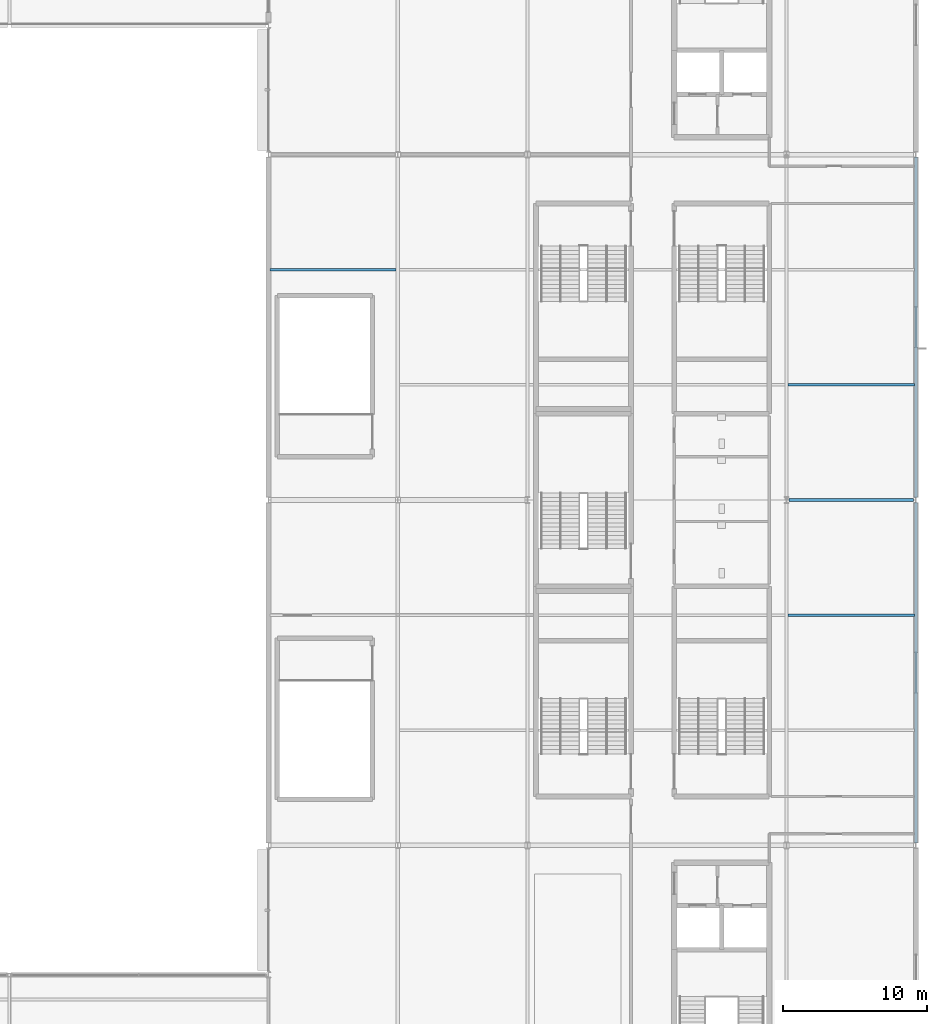
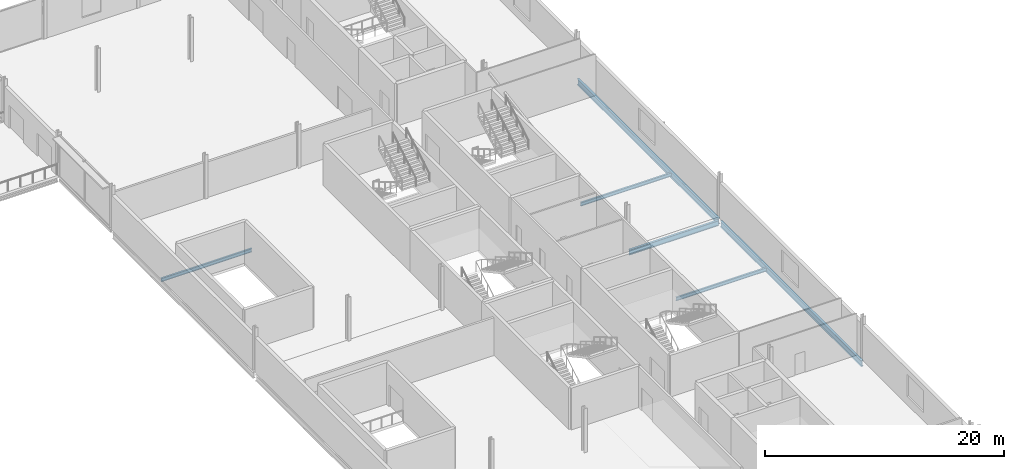
# One storey, part 30 of 73: 6 beams.
"""IFC4 building model written with IfcOpenShell, lengths in metres."""

from ifc_helpers import new_model, si_unit, direction, frame, origin, origin_2d, place, context, subcontext, project, spatial, i_section, extrude, material, material_profile, profile_set, type_object, element, save


model = new_model("IFC4")

# Units and contexts
model_context = context("Model", 3, precision=1e-05, world=origin(), true_north=direction((0.0, 1.0)))
body_context = subcontext(model_context, "Body", "Model", "MODEL_VIEW")
ifc_project = project(units=[si_unit("LENGTHUNIT", "METRE"), si_unit("AREAUNIT", "SQUARE_METRE"), si_unit("VOLUMEUNIT", "CUBIC_METRE"), si_unit("PLANEANGLEUNIT", "RADIAN"), si_unit("MASSUNIT", "GRAM", prefix="KILO")], contexts=[model_context])

# Site, building, storey
site_placement = place(None, origin())
site = spatial("IfcSite", under=ifc_project, at=site_placement, CompositionType="ELEMENT")
building_placement = place(site_placement, origin())
building = spatial("IfcBuilding", under=site, at=building_placement, Name="Kisiwana Market Hall", CompositionType="ELEMENT")
storey_placement = place(building_placement, frame((0.0, 0.0, 33.300048828125)))
storey = spatial("IfcBuildingStorey", under=building, at=storey_placement, Name="L07", CompositionType="ELEMENT", Elevation=33.300048828125)

# Beams
ifc_material_1 = material(Name="Steel S355", Category="steel")
ifc_material_profile_1 = material_profile(ifc_material_1, i_section(OverallWidth=0.209228515625, OverallDepth=0.533203125, WebThickness=0.010009765625, FlangeThickness=0.015625, at=origin_2d()), Name="UB 533x210x92")
ifc_profile_set_1 = profile_set([ifc_material_profile_1], Name="Steel S355")
beam_type_1 = type_object("IfcBeamType", Name="BM-GIRD-UB533", PredefinedType="BEAM", material=ifc_profile_set_1)
beam_placement = place(storey_placement, frame((189.183349609375, 60.0, -0.546630859375), z_axis=(1.0, 0.0, 0.0), x_axis=(0.0, 1.0, 0.0)))
element("IfcBeam", 1, at=beam_placement, inside=storey, type_object=beam_type_1, Name="Primary girder B-1880", PredefinedType="BEAM", context=body_context, shape_type="SweptSolid", body=[
    extrude(i_section(OverallWidth=0.209228515625, OverallDepth=0.533203125, WebThickness=0.010009765625, FlangeThickness=0.015625, at=origin_2d()), origin(), (0.0, 0.0, 1.0), 8.635498046875),
])
ifc_material_2 = material(Name="Steel S355", Category="steel")
ifc_material_profile_2 = material_profile(ifc_material_2, i_section(OverallWidth=0.22900390625, OverallDepth=0.6123046875, WebThickness=0.011962890625, FlangeThickness=0.01953125, at=origin_2d()), Name="UB 610x229x125")
ifc_profile_set_2 = profile_set([ifc_material_profile_2], Name="Steel S355")
beam_type_2 = type_object("IfcBeamType", Name="BM-GIRD-UB610H", PredefinedType="BEAM", material=ifc_profile_set_2)
for number, where, z_axis, x_axis, name in (
    (2, (198.0, 36.177001953125, -0.586181640625), (0.0, 1.0, 0.0), (-1.0, 0.0, 0.0), "Floor beam B-2053"),
    (3, (198.0, 60.177001953125, -0.586181640625), (0.0, 1.0, 0.0), (-1.0, 0.0, 0.0), "Floor beam B-2054"),
):
    element("IfcBeam", number, at=place(storey_placement, frame(where, z_axis=z_axis, x_axis=x_axis)), inside=storey, type_object=beam_type_2, Name=name, PredefinedType="BEAM", context=body_context, shape_type="SweptSolid", body=[
        extrude(i_section(OverallWidth=0.22900390625, OverallDepth=0.6123046875, WebThickness=0.011962890625, FlangeThickness=0.01953125, at=origin_2d()), origin(), (0.0, 0.0, 1.0), 23.64599609375),
    ])
ifc_material_3 = material(Name="Steel S355", Category="steel")
ifc_material_profile_3 = material_profile(ifc_material_3, i_section(OverallWidth=0.17138671875, OverallDepth=0.35498046875, WebThickness=0.00732421875, FlangeThickness=0.011474609375, at=origin_2d()), Name="UB 356x171x51")
ifc_profile_set_3 = profile_set([ifc_material_profile_3], Name="Steel S355")
beam_type_3 = type_object("IfcBeamType", Name="BM-JOIST-UB356", PredefinedType="JOIST", material=ifc_profile_set_3)
for number, where, z_axis, x_axis, name in (
    (4, (189.113525390625, 52.0, -0.45751953125), (1.0, 0.0, 0.0), (0.0, 1.0, 0.0), "Secondary floor joist B-1940"),
    (5, (189.113525390625, 68.0, -0.45751953125), (1.0, 0.0, 0.0), (0.0, 1.0, 0.0), "Secondary floor joist B-1946"),
    (6, (153.113525390625, 76.0, -0.45751953125), (1.0, 0.0, 0.0), (0.0, 1.0, 0.0), "Secondary floor joist B-1951"),
):
    element("IfcBeam", number, at=place(storey_placement, frame(where, z_axis=z_axis, x_axis=x_axis)), inside=storey, type_object=beam_type_3, Name=name, PredefinedType="JOIST", context=body_context, shape_type="SweptSolid", body=[
        extrude(i_section(OverallWidth=0.17138671875, OverallDepth=0.35498046875, WebThickness=0.00732421875, FlangeThickness=0.011474609375, at=origin_2d()), origin(), (0.0, 0.0, 1.0), 8.77294921875),
    ])

save(model, "model.ifc")
